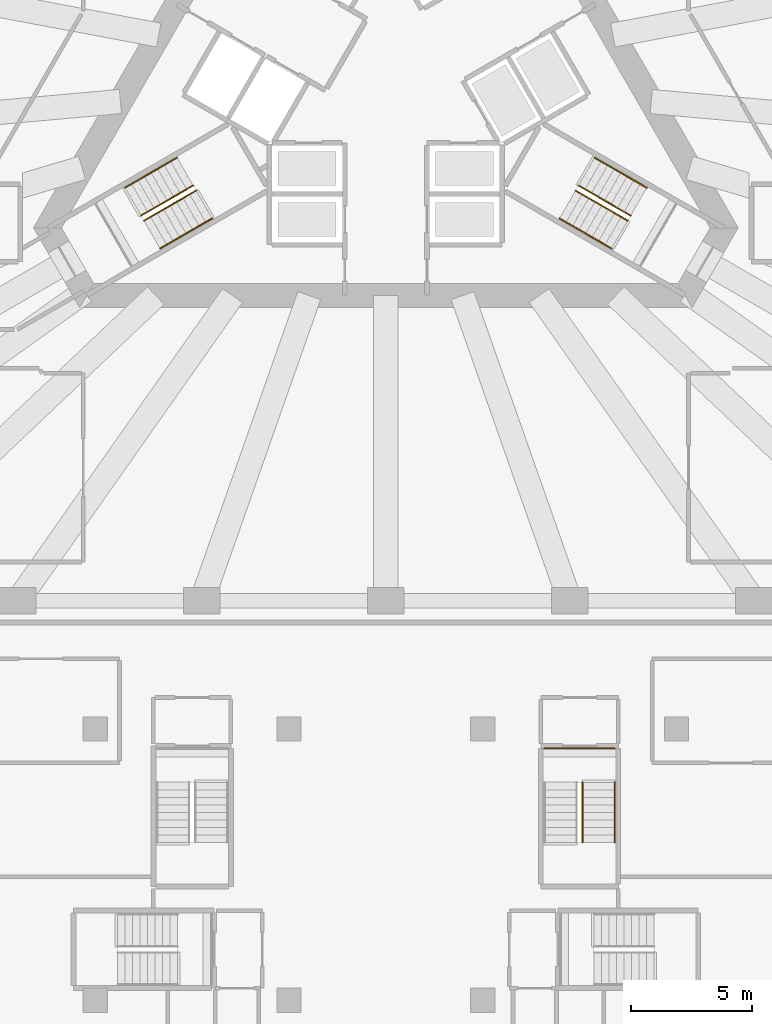
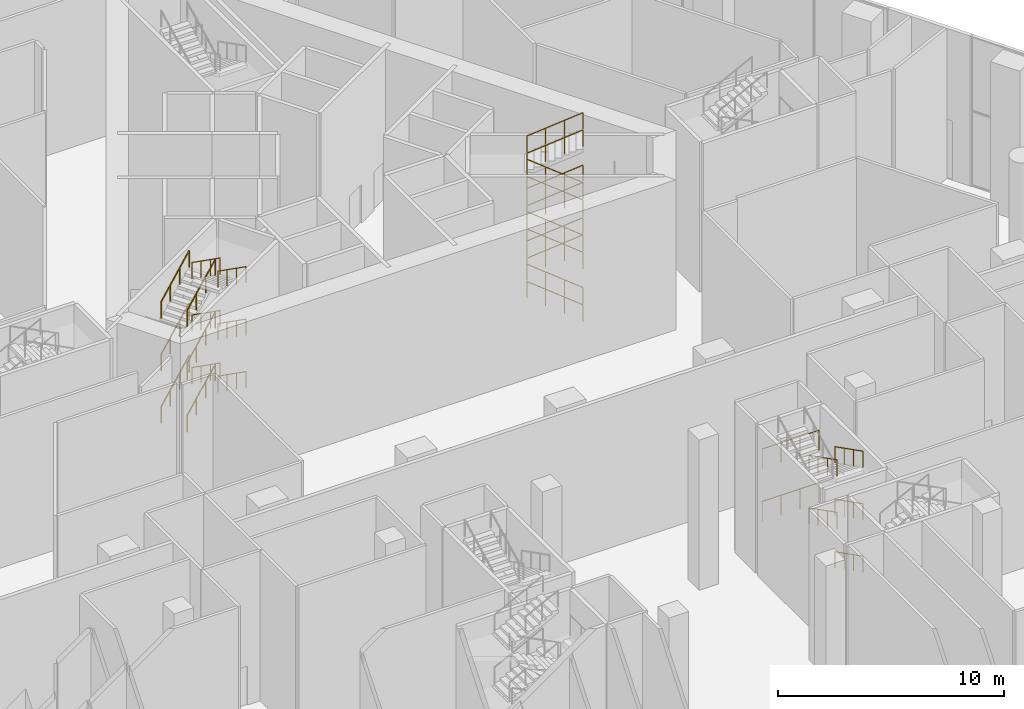
# One storey, part 38 of 41: 31 railings, 3 elements without a shape of their own.
"""IFC4 building model written with IfcOpenShell, lengths in metres."""

from ifc_helpers import new_model, si_unit, direction, frame, origin, origin_2d, place, context, subcontext, project, spatial, circle, extrude, material, type_object, element, aggregate, save


model = new_model("IFC4")

# Units and contexts
model_context = context("Model", 3, precision=1e-05, world=origin(), true_north=direction((0.0, 1.0)))
body_context = subcontext(model_context, "Body", "Model", "MODEL_VIEW")
ifc_project = project(units=[si_unit("LENGTHUNIT", "METRE"), si_unit("AREAUNIT", "SQUARE_METRE"), si_unit("VOLUMEUNIT", "CUBIC_METRE"), si_unit("PLANEANGLEUNIT", "RADIAN"), si_unit("MASSUNIT", "GRAM", prefix="KILO")], contexts=[model_context])

# Site, building, storey
site_placement = place(None, origin())
site = spatial("IfcSite", under=ifc_project, at=site_placement, CompositionType="ELEMENT")
building_placement = place(site_placement, origin())
building = spatial("IfcBuilding", under=site, at=building_placement, Name="Triada Interchange Tower", CompositionType="ELEMENT")
storey_placement = place(building_placement, origin())
storey = spatial("IfcBuildingStorey", under=building, at=storey_placement, Name="L00", CompositionType="ELEMENT", Elevation=0.0)

# Stair, railings
ifc_material_1 = material(Name="Concrete C35/45", Category="concrete")
stair_type = type_object("IfcStairType", Name="HALF TURN STAIR 1400", PredefinedType="HALF_TURN_STAIR", material=ifc_material_1)
stair_1_placement = place(storey_placement, origin())
stair_1 = element("IfcStair", 1, at=stair_1_placement, inside=storey, type_object=stair_type, Name="Exit stair S00-10", PredefinedType="HALF_TURN_STAIR")
ifc_material_2 = material(Name="Stainless steel 1.4301", Category="steel")
railing_type_1 = type_object("IfcRailingType", Name="STAIR GUARD 1100", PredefinedType="GUARDRAIL", material=ifc_material_2)
railing_1_placement = place(storey_placement, frame((9.449951171875, -27.699951171875, 2.83349609375)))
railing_1 = element("IfcRailing", 2, at=railing_1_placement, type_object=railing_type_1, Name="Guard S00-10 1", PredefinedType="GUARDRAIL", context=body_context, shape_type="SweptSolid", body=[
    extrude(circle(Radius=0.02392578125, at=origin_2d()), frame((0.0, 0.0, 1.076171875), z_axis=(-1.0, 0.0, 0.0), x_axis=(0.0, -1.0, 0.0)), (0.0, 0.0, 1.0), 2.89990234375),
    extrude(circle(Radius=0.02099609375, at=origin_2d()), origin(), (0.0, 0.0, 1.0), 1.052001953125),
    extrude(circle(Radius=0.02099609375, at=origin_2d()), frame((-0.966552734375, 0.0, 0.0)), (0.0, 0.0, 1.0), 1.052001953125),
    extrude(circle(Radius=0.02099609375, at=origin_2d()), frame((-1.933349609375, 0.0, 0.0)), (0.0, 0.0, 1.0), 1.052001953125),
    extrude(circle(Radius=0.02099609375, at=origin_2d()), frame((-2.89990234375, 0.0, 0.0)), (0.0, 0.0, 1.0), 1.052001953125),
])
railing_2_placement = place(storey_placement, frame((9.449951171875, -27.699951171875, 5.666748046875)))
railing_2 = element("IfcRailing", 3, at=railing_2_placement, type_object=railing_type_1, Name="Guard S00-10 2", PredefinedType="GUARDRAIL", context=body_context, shape_type="SweptSolid", body=[
    extrude(circle(Radius=0.02392578125, at=origin_2d()), frame((0.0, 0.0, 1.076171875), z_axis=(-1.0, 0.0, 0.0), x_axis=(0.0, -1.0, 0.0)), (0.0, 0.0, 1.0), 2.89990234375),
    extrude(circle(Radius=0.02099609375, at=origin_2d()), origin(), (0.0, 0.0, 1.0), 1.052001953125),
    extrude(circle(Radius=0.02099609375, at=origin_2d()), frame((-0.966552734375, 0.0, 0.0)), (0.0, 0.0, 1.0), 1.052001953125),
    extrude(circle(Radius=0.02099609375, at=origin_2d()), frame((-1.933349609375, 0.0, 0.0)), (0.0, 0.0, 1.0), 1.052001953125),
    extrude(circle(Radius=0.02099609375, at=origin_2d()), frame((-2.89990234375, 0.0, 0.0)), (0.0, 0.0, 1.0), 1.052001953125),
])

stair_2_placement = place(storey_placement, origin())
stair_2 = element("IfcStair", 4, at=stair_2_placement, inside=storey, type_object=stair_type, Name="Exit stair S00-2", PredefinedType="HALF_TURN_STAIR")
railing_type_2 = type_object("IfcRailingType", Name="STAIR HANDRAIL 900", PredefinedType="HANDRAIL", material=ifc_material_2)
railing_3_placement = place(storey_placement, frame((-10.77099609375, -4.5439453125, 0.157470703125)))
railing_3 = element("IfcRailing", 5, at=railing_3_placement, type_object=railing_type_2, Name="Handrail S00-2 1W", PredefinedType="HANDRAIL", context=body_context, shape_type="SweptSolid", body=[
    extrude(circle(Radius=0.02392578125, at=origin_2d()), frame((0.0, 0.0, 0.8759765625), z_axis=(0.77221202273, 0.445790505052, 0.452724438877), x_axis=(-0.499961042966, 0.86604789447, 0.0)), (0.0, 0.0, 1.0), 2.781494140625),
    extrude(circle(Radius=0.02099609375, at=origin_2d()), origin(), (0.0, 0.0, 1.0), 0.851806640625),
    extrude(circle(Radius=0.02099609375, at=origin_2d()), frame((0.716064453125, 0.413330078125, 0.419677734375)), (0.0, 0.0, 1.0), 0.851806640625),
    extrude(circle(Radius=0.02099609375, at=origin_2d()), frame((1.431884765625, 0.82666015625, 0.839599609375)), (0.0, 0.0, 1.0), 0.851806640625),
    extrude(circle(Radius=0.02099609375, at=origin_2d()), frame((2.14794921875, 1.239990234375, 1.25927734375)), (0.0, 0.0, 1.0), 0.851806640625),
])
railing_4_placement = place(storey_placement, frame((-10.10595703125, -5.696044921875, 0.157470703125)))
railing_4 = element("IfcRailing", 6, at=railing_4_placement, type_object=railing_type_2, Name="Handrail S00-2 1C", PredefinedType="HANDRAIL", context=body_context, shape_type="SweptSolid", body=[
    extrude(circle(Radius=0.02392578125, at=origin_2d()), frame((0.0, 0.0, 0.8759765625), z_axis=(0.77221202273, 0.445790505052, 0.452724438877), x_axis=(-0.499961042966, 0.86604789447, 0.0)), (0.0, 0.0, 1.0), 2.781494140625),
    extrude(circle(Radius=0.02099609375, at=origin_2d()), origin(), (0.0, 0.0, 1.0), 0.851806640625),
    extrude(circle(Radius=0.02099609375, at=origin_2d()), frame((0.716064453125, 0.413330078125, 0.419677734375)), (0.0, 0.0, 1.0), 0.851806640625),
    extrude(circle(Radius=0.02099609375, at=origin_2d()), frame((1.431884765625, 0.82666015625, 0.839599609375)), (0.0, 0.0, 1.0), 0.851806640625),
    extrude(circle(Radius=0.02099609375, at=origin_2d()), frame((2.14794921875, 1.239990234375, 1.25927734375)), (0.0, 0.0, 1.0), 0.851806640625),
])
railing_5_placement = place(storey_placement, frame((-7.173095703125, -5.81591796875, 1.57421875)))
railing_5 = element("IfcRailing", 7, at=railing_5_placement, type_object=railing_type_2, Name="Handrail S00-2 2W", PredefinedType="HANDRAIL", context=body_context, shape_type="SweptSolid", body=[
    extrude(circle(Radius=0.02392578125, at=origin_2d()), frame((0.0, 0.0, 0.8759765625), z_axis=(-0.77221202273, -0.445790505052, 0.452724438877), x_axis=(0.499961042966, -0.86604789447, 0.0)), (0.0, 0.0, 1.0), 2.781494140625),
    extrude(circle(Radius=0.02099609375, at=origin_2d()), origin(), (0.0, 0.0, 1.0), 0.851806640625),
    extrude(circle(Radius=0.02099609375, at=origin_2d()), frame((-0.716064453125, -0.413330078125, 0.419677734375)), (0.0, 0.0, 1.0), 0.851806640625),
    extrude(circle(Radius=0.02099609375, at=origin_2d()), frame((-1.431884765625, -0.82666015625, 0.839599609375)), (0.0, 0.0, 1.0), 0.851806640625),
    extrude(circle(Radius=0.02099609375, at=origin_2d()), frame((-2.14794921875, -1.239990234375, 1.25927734375)), (0.0, 0.0, 1.0), 0.851806640625),
])
railing_6_placement = place(storey_placement, frame((-7.837890625, -4.6640625, 1.57421875)))
railing_6 = element("IfcRailing", 8, at=railing_6_placement, type_object=railing_type_2, Name="Handrail S00-2 2C", PredefinedType="HANDRAIL", context=body_context, shape_type="SweptSolid", body=[
    extrude(circle(Radius=0.02392578125, at=origin_2d()), frame((0.0, 0.0, 0.8759765625), z_axis=(-0.772247451406, -0.445760291589, 0.452693755467), x_axis=(0.499918423778, -0.866072496716, 0.0)), (0.0, 0.0, 1.0), 2.78173828125),
    extrude(circle(Radius=0.02099609375, at=origin_2d()), origin(), (0.0, 0.0, 1.0), 0.851806640625),
    extrude(circle(Radius=0.02099609375, at=origin_2d()), frame((-0.716064453125, -0.413330078125, 0.419677734375)), (0.0, 0.0, 1.0), 0.851806640625),
    extrude(circle(Radius=0.02099609375, at=origin_2d()), frame((-1.43212890625, -0.82666015625, 0.839599609375)), (0.0, 0.0, 1.0), 0.851806640625),
    extrude(circle(Radius=0.02099609375, at=origin_2d()), frame((-2.148193359375, -1.239990234375, 1.25927734375)), (0.0, 0.0, 1.0), 0.851806640625),
])
railing_7_placement = place(storey_placement, frame((-10.77099609375, -4.5439453125, 2.99072265625)))
railing_7 = element("IfcRailing", 9, at=railing_7_placement, type_object=railing_type_2, Name="Handrail S00-2 3W", PredefinedType="HANDRAIL", context=body_context, shape_type="SweptSolid", body=[
    extrude(circle(Radius=0.02392578125, at=origin_2d()), frame((0.0, 0.0, 0.8759765625), z_axis=(0.77221202273, 0.445790505052, 0.452724438877), x_axis=(-0.499961042966, 0.86604789447, 0.0)), (0.0, 0.0, 1.0), 2.781494140625),
    extrude(circle(Radius=0.02099609375, at=origin_2d()), origin(), (0.0, 0.0, 1.0), 0.851806640625),
    extrude(circle(Radius=0.02099609375, at=origin_2d()), frame((0.716064453125, 0.413330078125, 0.419677734375)), (0.0, 0.0, 1.0), 0.851806640625),
    extrude(circle(Radius=0.02099609375, at=origin_2d()), frame((1.431884765625, 0.82666015625, 0.839599609375)), (0.0, 0.0, 1.0), 0.851806640625),
    extrude(circle(Radius=0.02099609375, at=origin_2d()), frame((2.14794921875, 1.239990234375, 1.25927734375)), (0.0, 0.0, 1.0), 0.851806640625),
])
railing_8_placement = place(storey_placement, frame((-10.10595703125, -5.696044921875, 2.99072265625)))
railing_8 = element("IfcRailing", 10, at=railing_8_placement, type_object=railing_type_2, Name="Handrail S00-2 3C", PredefinedType="HANDRAIL", context=body_context, shape_type="SweptSolid", body=[
    extrude(circle(Radius=0.02392578125, at=origin_2d()), frame((0.0, 0.0, 0.8759765625), z_axis=(0.77221202273, 0.445790505052, 0.452724438877), x_axis=(-0.499961042966, 0.86604789447, 0.0)), (0.0, 0.0, 1.0), 2.781494140625),
    extrude(circle(Radius=0.02099609375, at=origin_2d()), origin(), (0.0, 0.0, 1.0), 0.851806640625),
    extrude(circle(Radius=0.02099609375, at=origin_2d()), frame((0.716064453125, 0.413330078125, 0.419677734375)), (0.0, 0.0, 1.0), 0.851806640625),
    extrude(circle(Radius=0.02099609375, at=origin_2d()), frame((1.431884765625, 0.82666015625, 0.839599609375)), (0.0, 0.0, 1.0), 0.851806640625),
    extrude(circle(Radius=0.02099609375, at=origin_2d()), frame((2.14794921875, 1.239990234375, 1.25927734375)), (0.0, 0.0, 1.0), 0.851806640625),
])
railing_9_placement = place(storey_placement, frame((-7.173095703125, -5.81591796875, 4.407470703125)))
railing_9 = element("IfcRailing", 11, at=railing_9_placement, type_object=railing_type_2, Name="Handrail S00-2 4W", PredefinedType="HANDRAIL", context=body_context, shape_type="SweptSolid", body=[
    extrude(circle(Radius=0.02392578125, at=origin_2d()), frame((0.0, 0.0, 0.8759765625), z_axis=(-0.77221202273, -0.445790505052, 0.452724438877), x_axis=(0.499961042966, -0.86604789447, 0.0)), (0.0, 0.0, 1.0), 2.781494140625),
    extrude(circle(Radius=0.02099609375, at=origin_2d()), origin(), (0.0, 0.0, 1.0), 0.851806640625),
    extrude(circle(Radius=0.02099609375, at=origin_2d()), frame((-0.716064453125, -0.413330078125, 0.419677734375)), (0.0, 0.0, 1.0), 0.851806640625),
    extrude(circle(Radius=0.02099609375, at=origin_2d()), frame((-1.431884765625, -0.82666015625, 0.839599609375)), (0.0, 0.0, 1.0), 0.851806640625),
    extrude(circle(Radius=0.02099609375, at=origin_2d()), frame((-2.14794921875, -1.239990234375, 1.25927734375)), (0.0, 0.0, 1.0), 0.851806640625),
])
railing_10_placement = place(storey_placement, frame((-7.837890625, -4.6640625, 4.407470703125)))
railing_10 = element("IfcRailing", 12, at=railing_10_placement, type_object=railing_type_2, Name="Handrail S00-2 4C", PredefinedType="HANDRAIL", context=body_context, shape_type="SweptSolid", body=[
    extrude(circle(Radius=0.02392578125, at=origin_2d()), frame((0.0, 0.0, 0.8759765625), z_axis=(-0.772247451406, -0.445760291589, 0.452693755467), x_axis=(0.499918423778, -0.866072496716, 0.0)), (0.0, 0.0, 1.0), 2.78173828125),
    extrude(circle(Radius=0.02099609375, at=origin_2d()), origin(), (0.0, 0.0, 1.0), 0.851806640625),
    extrude(circle(Radius=0.02099609375, at=origin_2d()), frame((-0.716064453125, -0.413330078125, 0.419677734375)), (0.0, 0.0, 1.0), 0.851806640625),
    extrude(circle(Radius=0.02099609375, at=origin_2d()), frame((-1.43212890625, -0.82666015625, 0.839599609375)), (0.0, 0.0, 1.0), 0.851806640625),
    extrude(circle(Radius=0.02099609375, at=origin_2d()), frame((-2.148193359375, -1.239990234375, 1.25927734375)), (0.0, 0.0, 1.0), 0.851806640625),
])
railing_11_placement = place(storey_placement, frame((-10.77099609375, -4.5439453125, 5.82421875)))
railing_11 = element("IfcRailing", 13, at=railing_11_placement, type_object=railing_type_2, Name="Handrail S00-2 5W", PredefinedType="HANDRAIL", context=body_context, shape_type="SweptSolid", body=[
    extrude(circle(Radius=0.02392578125, at=origin_2d()), frame((0.0, 0.0, 0.8759765625), z_axis=(0.77221202273, 0.445790505052, 0.452724438877), x_axis=(-0.499961042966, 0.86604789447, 0.0)), (0.0, 0.0, 1.0), 2.781494140625),
    extrude(circle(Radius=0.02099609375, at=origin_2d()), origin(), (0.0, 0.0, 1.0), 0.851806640625),
    extrude(circle(Radius=0.02099609375, at=origin_2d()), frame((0.716064453125, 0.413330078125, 0.419677734375)), (0.0, 0.0, 1.0), 0.851806640625),
    extrude(circle(Radius=0.02099609375, at=origin_2d()), frame((1.431884765625, 0.82666015625, 0.839599609375)), (0.0, 0.0, 1.0), 0.851806640625),
    extrude(circle(Radius=0.02099609375, at=origin_2d()), frame((2.14794921875, 1.239990234375, 1.25927734375)), (0.0, 0.0, 1.0), 0.851806640625),
])
railing_12_placement = place(storey_placement, frame((-10.10595703125, -5.696044921875, 5.82421875)))
railing_12 = element("IfcRailing", 14, at=railing_12_placement, type_object=railing_type_2, Name="Handrail S00-2 5C", PredefinedType="HANDRAIL", context=body_context, shape_type="SweptSolid", body=[
    extrude(circle(Radius=0.02392578125, at=origin_2d()), frame((0.0, 0.0, 0.8759765625), z_axis=(0.77221202273, 0.445790505052, 0.452724438877), x_axis=(-0.499961042966, 0.86604789447, 0.0)), (0.0, 0.0, 1.0), 2.781494140625),
    extrude(circle(Radius=0.02099609375, at=origin_2d()), origin(), (0.0, 0.0, 1.0), 0.851806640625),
    extrude(circle(Radius=0.02099609375, at=origin_2d()), frame((0.716064453125, 0.413330078125, 0.419677734375)), (0.0, 0.0, 1.0), 0.851806640625),
    extrude(circle(Radius=0.02099609375, at=origin_2d()), frame((1.431884765625, 0.82666015625, 0.839599609375)), (0.0, 0.0, 1.0), 0.851806640625),
    extrude(circle(Radius=0.02099609375, at=origin_2d()), frame((2.14794921875, 1.239990234375, 1.25927734375)), (0.0, 0.0, 1.0), 0.851806640625),
])
railing_13_placement = place(storey_placement, frame((-7.173095703125, -5.81591796875, 7.240966796875)))
railing_13 = element("IfcRailing", 15, at=railing_13_placement, type_object=railing_type_2, Name="Handrail S00-2 6W", PredefinedType="HANDRAIL", context=body_context, shape_type="SweptSolid", body=[
    extrude(circle(Radius=0.02392578125, at=origin_2d()), frame((0.0, 0.0, 0.8759765625), z_axis=(-0.77221202273, -0.445790505052, 0.452724438877), x_axis=(0.499961042966, -0.86604789447, 0.0)), (0.0, 0.0, 1.0), 2.781494140625),
    extrude(circle(Radius=0.02099609375, at=origin_2d()), origin(), (0.0, 0.0, 1.0), 0.851806640625),
    extrude(circle(Radius=0.02099609375, at=origin_2d()), frame((-0.716064453125, -0.413330078125, 0.419677734375)), (0.0, 0.0, 1.0), 0.851806640625),
    extrude(circle(Radius=0.02099609375, at=origin_2d()), frame((-1.431884765625, -0.82666015625, 0.839599609375)), (0.0, 0.0, 1.0), 0.851806640625),
    extrude(circle(Radius=0.02099609375, at=origin_2d()), frame((-2.14794921875, -1.239990234375, 1.25927734375)), (0.0, 0.0, 1.0), 0.851806640625),
])
railing_14_placement = place(storey_placement, frame((-7.837890625, -4.6640625, 7.240966796875)))
railing_14 = element("IfcRailing", 16, at=railing_14_placement, type_object=railing_type_2, Name="Handrail S00-2 6C", PredefinedType="HANDRAIL", context=body_context, shape_type="SweptSolid", body=[
    extrude(circle(Radius=0.02392578125, at=origin_2d()), frame((0.0, 0.0, 0.8759765625), z_axis=(-0.772247451406, -0.445760291589, 0.452693755467), x_axis=(0.499918423778, -0.866072496716, 0.0)), (0.0, 0.0, 1.0), 2.78173828125),
    extrude(circle(Radius=0.02099609375, at=origin_2d()), origin(), (0.0, 0.0, 1.0), 0.851806640625),
    extrude(circle(Radius=0.02099609375, at=origin_2d()), frame((-0.716064453125, -0.413330078125, 0.419677734375)), (0.0, 0.0, 1.0), 0.851806640625),
    extrude(circle(Radius=0.02099609375, at=origin_2d()), frame((-1.43212890625, -0.82666015625, 0.839599609375)), (0.0, 0.0, 1.0), 0.851806640625),
    extrude(circle(Radius=0.02099609375, at=origin_2d()), frame((-2.148193359375, -1.239990234375, 1.25927734375)), (0.0, 0.0, 1.0), 0.851806640625),
])
aggregate(stair_2, [railing_3, railing_4, railing_5, railing_6, railing_7, railing_8, railing_9, railing_10, railing_11, railing_12, railing_13, railing_14])

stair_3_placement = place(storey_placement, origin())
stair_3 = element("IfcStair", 17, at=stair_3_placement, inside=storey, type_object=stair_type, Name="Exit stair S00-3", PredefinedType="HALF_TURN_STAIR")
railing_15_placement = place(storey_placement, frame((9.321044921875, -7.055908203125, 0.157470703125)))
railing_15 = element("IfcRailing", 18, at=railing_15_placement, type_object=railing_type_2, Name="Handrail S00-3 1W", PredefinedType="HANDRAIL", context=body_context, shape_type="SweptSolid", body=[
    extrude(circle(Radius=0.02392578125, at=origin_2d()), frame((0.0, 0.0, 0.8759765625), z_axis=(-0.77221202273, 0.445790505052, 0.452724438877), x_axis=(-0.499961042966, -0.86604789447, 0.0)), (0.0, 0.0, 1.0), 2.781494140625),
    extrude(circle(Radius=0.02099609375, at=origin_2d()), origin(), (0.0, 0.0, 1.0), 0.851806640625),
    extrude(circle(Radius=0.02099609375, at=origin_2d()), frame((-0.716064453125, 0.413330078125, 0.419677734375)), (0.0, 0.0, 1.0), 0.851806640625),
    extrude(circle(Radius=0.02099609375, at=origin_2d()), frame((-1.431884765625, 0.82666015625, 0.839599609375)), (0.0, 0.0, 1.0), 0.851806640625),
    extrude(circle(Radius=0.02099609375, at=origin_2d()), frame((-2.14794921875, 1.239990234375, 1.25927734375)), (0.0, 0.0, 1.0), 0.851806640625),
])
railing_16_placement = place(storey_placement, frame((9.986083984375, -5.904052734375, 0.157470703125)))
railing_16 = element("IfcRailing", 19, at=railing_16_placement, type_object=railing_type_2, Name="Handrail S00-3 1C", PredefinedType="HANDRAIL", context=body_context, shape_type="SweptSolid", body=[
    extrude(circle(Radius=0.02392578125, at=origin_2d()), frame((0.0, 0.0, 0.8759765625), z_axis=(-0.772247451406, 0.445760291589, 0.452693755467), x_axis=(-0.499918423778, -0.866072496716, 0.0)), (0.0, 0.0, 1.0), 2.78173828125),
    extrude(circle(Radius=0.02099609375, at=origin_2d()), origin(), (0.0, 0.0, 1.0), 0.851806640625),
    extrude(circle(Radius=0.02099609375, at=origin_2d()), frame((-0.716064453125, 0.413330078125, 0.419677734375)), (0.0, 0.0, 1.0), 0.851806640625),
    extrude(circle(Radius=0.02099609375, at=origin_2d()), frame((-1.43212890625, 0.82666015625, 0.839599609375)), (0.0, 0.0, 1.0), 0.851806640625),
    extrude(circle(Radius=0.02099609375, at=origin_2d()), frame((-2.148193359375, 1.239990234375, 1.25927734375)), (0.0, 0.0, 1.0), 0.851806640625),
])
railing_17_placement = place(storey_placement, frame((8.623046875, -3.303955078125, 1.57421875)))
railing_17 = element("IfcRailing", 20, at=railing_17_placement, type_object=railing_type_2, Name="Handrail S00-3 2W", PredefinedType="HANDRAIL", context=body_context, shape_type="SweptSolid", body=[
    extrude(circle(Radius=0.02392578125, at=origin_2d()), frame((0.0, 0.0, 0.8759765625), z_axis=(0.77221202273, -0.445790505052, 0.452724438877), x_axis=(0.499961042966, 0.86604789447, 0.0)), (0.0, 0.0, 1.0), 2.781494140625),
    extrude(circle(Radius=0.02099609375, at=origin_2d()), origin(), (0.0, 0.0, 1.0), 0.851806640625),
    extrude(circle(Radius=0.02099609375, at=origin_2d()), frame((0.716064453125, -0.413330078125, 0.419677734375)), (0.0, 0.0, 1.0), 0.851806640625),
    extrude(circle(Radius=0.02099609375, at=origin_2d()), frame((1.431884765625, -0.82666015625, 0.839599609375)), (0.0, 0.0, 1.0), 0.851806640625),
    extrude(circle(Radius=0.02099609375, at=origin_2d()), frame((2.14794921875, -1.239990234375, 1.25927734375)), (0.0, 0.0, 1.0), 0.851806640625),
])
railing_18_placement = place(storey_placement, frame((7.9580078125, -4.4560546875, 1.57421875)))
railing_18 = element("IfcRailing", 21, at=railing_18_placement, type_object=railing_type_2, Name="Handrail S00-3 2C", PredefinedType="HANDRAIL", context=body_context, shape_type="SweptSolid", body=[
    extrude(circle(Radius=0.02392578125, at=origin_2d()), frame((0.0, 0.0, 0.8759765625), z_axis=(0.77221202273, -0.445790505052, 0.452724438877), x_axis=(0.499961042966, 0.86604789447, 0.0)), (0.0, 0.0, 1.0), 2.781494140625),
    extrude(circle(Radius=0.02099609375, at=origin_2d()), origin(), (0.0, 0.0, 1.0), 0.851806640625),
    extrude(circle(Radius=0.02099609375, at=origin_2d()), frame((0.716064453125, -0.413330078125, 0.419677734375)), (0.0, 0.0, 1.0), 0.851806640625),
    extrude(circle(Radius=0.02099609375, at=origin_2d()), frame((1.431884765625, -0.82666015625, 0.839599609375)), (0.0, 0.0, 1.0), 0.851806640625),
    extrude(circle(Radius=0.02099609375, at=origin_2d()), frame((2.14794921875, -1.239990234375, 1.25927734375)), (0.0, 0.0, 1.0), 0.851806640625),
])
railing_19_placement = place(storey_placement, frame((9.321044921875, -7.055908203125, 2.99072265625)))
railing_19 = element("IfcRailing", 22, at=railing_19_placement, type_object=railing_type_2, Name="Handrail S00-3 3W", PredefinedType="HANDRAIL", context=body_context, shape_type="SweptSolid", body=[
    extrude(circle(Radius=0.02392578125, at=origin_2d()), frame((0.0, 0.0, 0.8759765625), z_axis=(-0.77221202273, 0.445790505052, 0.452724438877), x_axis=(-0.499961042966, -0.86604789447, 0.0)), (0.0, 0.0, 1.0), 2.781494140625),
    extrude(circle(Radius=0.02099609375, at=origin_2d()), origin(), (0.0, 0.0, 1.0), 0.851806640625),
    extrude(circle(Radius=0.02099609375, at=origin_2d()), frame((-0.716064453125, 0.413330078125, 0.419677734375)), (0.0, 0.0, 1.0), 0.851806640625),
    extrude(circle(Radius=0.02099609375, at=origin_2d()), frame((-1.431884765625, 0.82666015625, 0.839599609375)), (0.0, 0.0, 1.0), 0.851806640625),
    extrude(circle(Radius=0.02099609375, at=origin_2d()), frame((-2.14794921875, 1.239990234375, 1.25927734375)), (0.0, 0.0, 1.0), 0.851806640625),
])
railing_20_placement = place(storey_placement, frame((9.986083984375, -5.904052734375, 2.99072265625)))
railing_20 = element("IfcRailing", 23, at=railing_20_placement, type_object=railing_type_2, Name="Handrail S00-3 3C", PredefinedType="HANDRAIL", context=body_context, shape_type="SweptSolid", body=[
    extrude(circle(Radius=0.02392578125, at=origin_2d()), frame((0.0, 0.0, 0.8759765625), z_axis=(-0.772247451406, 0.445760291589, 0.452693755467), x_axis=(-0.499918423778, -0.866072496716, 0.0)), (0.0, 0.0, 1.0), 2.78173828125),
    extrude(circle(Radius=0.02099609375, at=origin_2d()), origin(), (0.0, 0.0, 1.0), 0.851806640625),
    extrude(circle(Radius=0.02099609375, at=origin_2d()), frame((-0.716064453125, 0.413330078125, 0.419677734375)), (0.0, 0.0, 1.0), 0.851806640625),
    extrude(circle(Radius=0.02099609375, at=origin_2d()), frame((-1.43212890625, 0.82666015625, 0.839599609375)), (0.0, 0.0, 1.0), 0.851806640625),
    extrude(circle(Radius=0.02099609375, at=origin_2d()), frame((-2.148193359375, 1.239990234375, 1.25927734375)), (0.0, 0.0, 1.0), 0.851806640625),
])
railing_21_placement = place(storey_placement, frame((8.623046875, -3.303955078125, 4.407470703125)))
railing_21 = element("IfcRailing", 24, at=railing_21_placement, type_object=railing_type_2, Name="Handrail S00-3 4W", PredefinedType="HANDRAIL", context=body_context, shape_type="SweptSolid", body=[
    extrude(circle(Radius=0.02392578125, at=origin_2d()), frame((0.0, 0.0, 0.8759765625), z_axis=(0.77221202273, -0.445790505052, 0.452724438877), x_axis=(0.499961042966, 0.86604789447, 0.0)), (0.0, 0.0, 1.0), 2.781494140625),
    extrude(circle(Radius=0.02099609375, at=origin_2d()), origin(), (0.0, 0.0, 1.0), 0.851806640625),
    extrude(circle(Radius=0.02099609375, at=origin_2d()), frame((0.716064453125, -0.413330078125, 0.419677734375)), (0.0, 0.0, 1.0), 0.851806640625),
    extrude(circle(Radius=0.02099609375, at=origin_2d()), frame((1.431884765625, -0.82666015625, 0.839599609375)), (0.0, 0.0, 1.0), 0.851806640625),
    extrude(circle(Radius=0.02099609375, at=origin_2d()), frame((2.14794921875, -1.239990234375, 1.25927734375)), (0.0, 0.0, 1.0), 0.851806640625),
])
railing_22_placement = place(storey_placement, frame((7.9580078125, -4.4560546875, 4.407470703125)))
railing_22 = element("IfcRailing", 25, at=railing_22_placement, type_object=railing_type_2, Name="Handrail S00-3 4C", PredefinedType="HANDRAIL", context=body_context, shape_type="SweptSolid", body=[
    extrude(circle(Radius=0.02392578125, at=origin_2d()), frame((0.0, 0.0, 0.8759765625), z_axis=(0.77221202273, -0.445790505052, 0.452724438877), x_axis=(0.499961042966, 0.86604789447, 0.0)), (0.0, 0.0, 1.0), 2.781494140625),
    extrude(circle(Radius=0.02099609375, at=origin_2d()), origin(), (0.0, 0.0, 1.0), 0.851806640625),
    extrude(circle(Radius=0.02099609375, at=origin_2d()), frame((0.716064453125, -0.413330078125, 0.419677734375)), (0.0, 0.0, 1.0), 0.851806640625),
    extrude(circle(Radius=0.02099609375, at=origin_2d()), frame((1.431884765625, -0.82666015625, 0.839599609375)), (0.0, 0.0, 1.0), 0.851806640625),
    extrude(circle(Radius=0.02099609375, at=origin_2d()), frame((2.14794921875, -1.239990234375, 1.25927734375)), (0.0, 0.0, 1.0), 0.851806640625),
])
railing_23_placement = place(storey_placement, frame((9.321044921875, -7.055908203125, 5.82421875)))
railing_23 = element("IfcRailing", 26, at=railing_23_placement, type_object=railing_type_2, Name="Handrail S00-3 5W", PredefinedType="HANDRAIL", context=body_context, shape_type="SweptSolid", body=[
    extrude(circle(Radius=0.02392578125, at=origin_2d()), frame((0.0, 0.0, 0.8759765625), z_axis=(-0.77221202273, 0.445790505052, 0.452724438877), x_axis=(-0.499961042966, -0.86604789447, 0.0)), (0.0, 0.0, 1.0), 2.781494140625),
    extrude(circle(Radius=0.02099609375, at=origin_2d()), origin(), (0.0, 0.0, 1.0), 0.851806640625),
    extrude(circle(Radius=0.02099609375, at=origin_2d()), frame((-0.716064453125, 0.413330078125, 0.419677734375)), (0.0, 0.0, 1.0), 0.851806640625),
    extrude(circle(Radius=0.02099609375, at=origin_2d()), frame((-1.431884765625, 0.82666015625, 0.839599609375)), (0.0, 0.0, 1.0), 0.851806640625),
    extrude(circle(Radius=0.02099609375, at=origin_2d()), frame((-2.14794921875, 1.239990234375, 1.25927734375)), (0.0, 0.0, 1.0), 0.851806640625),
])
railing_24_placement = place(storey_placement, frame((9.986083984375, -5.904052734375, 5.82421875)))
railing_24 = element("IfcRailing", 27, at=railing_24_placement, type_object=railing_type_2, Name="Handrail S00-3 5C", PredefinedType="HANDRAIL", context=body_context, shape_type="SweptSolid", body=[
    extrude(circle(Radius=0.02392578125, at=origin_2d()), frame((0.0, 0.0, 0.8759765625), z_axis=(-0.772247451406, 0.445760291589, 0.452693755467), x_axis=(-0.499918423778, -0.866072496716, 0.0)), (0.0, 0.0, 1.0), 2.78173828125),
    extrude(circle(Radius=0.02099609375, at=origin_2d()), origin(), (0.0, 0.0, 1.0), 0.851806640625),
    extrude(circle(Radius=0.02099609375, at=origin_2d()), frame((-0.716064453125, 0.413330078125, 0.419677734375)), (0.0, 0.0, 1.0), 0.851806640625),
    extrude(circle(Radius=0.02099609375, at=origin_2d()), frame((-1.43212890625, 0.82666015625, 0.839599609375)), (0.0, 0.0, 1.0), 0.851806640625),
    extrude(circle(Radius=0.02099609375, at=origin_2d()), frame((-2.148193359375, 1.239990234375, 1.25927734375)), (0.0, 0.0, 1.0), 0.851806640625),
])
railing_25_placement = place(storey_placement, frame((8.623046875, -3.303955078125, 7.240966796875)))
railing_25 = element("IfcRailing", 28, at=railing_25_placement, type_object=railing_type_2, Name="Handrail S00-3 6W", PredefinedType="HANDRAIL", context=body_context, shape_type="SweptSolid", body=[
    extrude(circle(Radius=0.02392578125, at=origin_2d()), frame((0.0, 0.0, 0.8759765625), z_axis=(0.77221202273, -0.445790505052, 0.452724438877), x_axis=(0.499961042966, 0.86604789447, 0.0)), (0.0, 0.0, 1.0), 2.781494140625),
    extrude(circle(Radius=0.02099609375, at=origin_2d()), origin(), (0.0, 0.0, 1.0), 0.851806640625),
    extrude(circle(Radius=0.02099609375, at=origin_2d()), frame((0.716064453125, -0.413330078125, 0.419677734375)), (0.0, 0.0, 1.0), 0.851806640625),
    extrude(circle(Radius=0.02099609375, at=origin_2d()), frame((1.431884765625, -0.82666015625, 0.839599609375)), (0.0, 0.0, 1.0), 0.851806640625),
    extrude(circle(Radius=0.02099609375, at=origin_2d()), frame((2.14794921875, -1.239990234375, 1.25927734375)), (0.0, 0.0, 1.0), 0.851806640625),
])
railing_26_placement = place(storey_placement, frame((7.9580078125, -4.4560546875, 7.240966796875)))
railing_26 = element("IfcRailing", 29, at=railing_26_placement, type_object=railing_type_2, Name="Handrail S00-3 6C", PredefinedType="HANDRAIL", context=body_context, shape_type="SweptSolid", body=[
    extrude(circle(Radius=0.02392578125, at=origin_2d()), frame((0.0, 0.0, 0.8759765625), z_axis=(0.77221202273, -0.445790505052, 0.452724438877), x_axis=(0.499961042966, 0.86604789447, 0.0)), (0.0, 0.0, 1.0), 2.781494140625),
    extrude(circle(Radius=0.02099609375, at=origin_2d()), origin(), (0.0, 0.0, 1.0), 0.851806640625),
    extrude(circle(Radius=0.02099609375, at=origin_2d()), frame((0.716064453125, -0.413330078125, 0.419677734375)), (0.0, 0.0, 1.0), 0.851806640625),
    extrude(circle(Radius=0.02099609375, at=origin_2d()), frame((1.431884765625, -0.82666015625, 0.839599609375)), (0.0, 0.0, 1.0), 0.851806640625),
    extrude(circle(Radius=0.02099609375, at=origin_2d()), frame((2.14794921875, -1.239990234375, 1.25927734375)), (0.0, 0.0, 1.0), 0.851806640625),
])
aggregate(stair_3, [railing_15, railing_16, railing_17, railing_18, railing_19, railing_20, railing_21, railing_22, railing_23, railing_24, railing_25, railing_26])

# Railing
railing_27_placement = place(storey_placement, frame((9.449951171875, -29.10009765625, 0.157470703125)))
railing_27 = element("IfcRailing", 30, at=railing_27_placement, type_object=railing_type_2, Name="Handrail S00-10 1W", PredefinedType="HANDRAIL", context=body_context, shape_type="SweptSolid", body=[
    extrude(circle(Radius=0.02392578125, at=origin_2d()), frame((0.0, 0.0, 0.8759765625), z_axis=(0.0, -0.891636241932, 0.452752484336), x_axis=(1.0, 0.0, 0.0)), (0.0, 0.0, 1.0), 2.781494140625),
    extrude(circle(Radius=0.02099609375, at=origin_2d()), origin(), (0.0, 0.0, 1.0), 0.851806640625),
    extrude(circle(Radius=0.02099609375, at=origin_2d()), frame((0.0, -0.82666015625, 0.419677734375)), (0.0, 0.0, 1.0), 0.851806640625),
    extrude(circle(Radius=0.02099609375, at=origin_2d()), frame((0.0, -1.6533203125, 0.839599609375)), (0.0, 0.0, 1.0), 0.851806640625),
    extrude(circle(Radius=0.02099609375, at=origin_2d()), frame((0.0, -2.47998046875, 1.25927734375)), (0.0, 0.0, 1.0), 0.851806640625),
])

railing_28_placement = place(storey_placement, frame((9.449951171875, -29.10009765625, 2.99072265625)))
railing_28 = element("IfcRailing", 31, at=railing_28_placement, type_object=railing_type_2, Name="Handrail S00-10 3W", PredefinedType="HANDRAIL", context=body_context, shape_type="SweptSolid", body=[
    extrude(circle(Radius=0.02392578125, at=origin_2d()), frame((0.0, 0.0, 0.8759765625), z_axis=(0.0, -0.891636241932, 0.452752484336), x_axis=(1.0, 0.0, 0.0)), (0.0, 0.0, 1.0), 2.781494140625),
    extrude(circle(Radius=0.02099609375, at=origin_2d()), origin(), (0.0, 0.0, 1.0), 0.851806640625),
    extrude(circle(Radius=0.02099609375, at=origin_2d()), frame((0.0, -0.82666015625, 0.419677734375)), (0.0, 0.0, 1.0), 0.851806640625),
    extrude(circle(Radius=0.02099609375, at=origin_2d()), frame((0.0, -1.6533203125, 0.839599609375)), (0.0, 0.0, 1.0), 0.851806640625),
    extrude(circle(Radius=0.02099609375, at=origin_2d()), frame((0.0, -2.47998046875, 1.25927734375)), (0.0, 0.0, 1.0), 0.851806640625),
])

railing_29_placement = place(storey_placement, frame((8.1201171875, -29.10009765625, 2.99072265625)))
railing_29 = element("IfcRailing", 32, at=railing_29_placement, type_object=railing_type_2, Name="Handrail S00-10 3C", PredefinedType="HANDRAIL", context=body_context, shape_type="SweptSolid", body=[
    extrude(circle(Radius=0.02392578125, at=origin_2d()), frame((0.0, 0.0, 0.8759765625), z_axis=(0.0, -0.891636241932, 0.452752484336), x_axis=(1.0, 0.0, 0.0)), (0.0, 0.0, 1.0), 2.781494140625),
    extrude(circle(Radius=0.02099609375, at=origin_2d()), origin(), (0.0, 0.0, 1.0), 0.851806640625),
    extrude(circle(Radius=0.02099609375, at=origin_2d()), frame((0.0, -0.82666015625, 0.419677734375)), (0.0, 0.0, 1.0), 0.851806640625),
    extrude(circle(Radius=0.02099609375, at=origin_2d()), frame((0.0, -1.6533203125, 0.839599609375)), (0.0, 0.0, 1.0), 0.851806640625),
    extrude(circle(Radius=0.02099609375, at=origin_2d()), frame((0.0, -2.47998046875, 1.25927734375)), (0.0, 0.0, 1.0), 0.851806640625),
])

railing_30_placement = place(storey_placement, frame((9.449951171875, -29.10009765625, 5.82421875)))
railing_30 = element("IfcRailing", 33, at=railing_30_placement, type_object=railing_type_2, Name="Handrail S00-10 5W", PredefinedType="HANDRAIL", context=body_context, shape_type="SweptSolid", body=[
    extrude(circle(Radius=0.02392578125, at=origin_2d()), frame((0.0, 0.0, 0.8759765625), z_axis=(0.0, -0.891636241932, 0.452752484336), x_axis=(1.0, 0.0, 0.0)), (0.0, 0.0, 1.0), 2.781494140625),
    extrude(circle(Radius=0.02099609375, at=origin_2d()), origin(), (0.0, 0.0, 1.0), 0.851806640625),
    extrude(circle(Radius=0.02099609375, at=origin_2d()), frame((0.0, -0.82666015625, 0.419677734375)), (0.0, 0.0, 1.0), 0.851806640625),
    extrude(circle(Radius=0.02099609375, at=origin_2d()), frame((0.0, -1.6533203125, 0.839599609375)), (0.0, 0.0, 1.0), 0.851806640625),
    extrude(circle(Radius=0.02099609375, at=origin_2d()), frame((0.0, -2.47998046875, 1.25927734375)), (0.0, 0.0, 1.0), 0.851806640625),
])

railing_31_placement = place(storey_placement, frame((8.1201171875, -29.10009765625, 5.82421875)))
railing_31 = element("IfcRailing", 34, at=railing_31_placement, type_object=railing_type_2, Name="Handrail S00-10 5C", PredefinedType="HANDRAIL", context=body_context, shape_type="SweptSolid", body=[
    extrude(circle(Radius=0.02392578125, at=origin_2d()), frame((0.0, 0.0, 0.8759765625), z_axis=(0.0, -0.891636241932, 0.452752484336), x_axis=(1.0, 0.0, 0.0)), (0.0, 0.0, 1.0), 2.781494140625),
    extrude(circle(Radius=0.02099609375, at=origin_2d()), origin(), (0.0, 0.0, 1.0), 0.851806640625),
    extrude(circle(Radius=0.02099609375, at=origin_2d()), frame((0.0, -0.82666015625, 0.419677734375)), (0.0, 0.0, 1.0), 0.851806640625),
    extrude(circle(Radius=0.02099609375, at=origin_2d()), frame((0.0, -1.6533203125, 0.839599609375)), (0.0, 0.0, 1.0), 0.851806640625),
    extrude(circle(Radius=0.02099609375, at=origin_2d()), frame((0.0, -2.47998046875, 1.25927734375)), (0.0, 0.0, 1.0), 0.851806640625),
])

aggregate(stair_1, [railing_27, railing_28, railing_29, railing_30, railing_31, railing_1, railing_2])

save(model, "model.ifc")
